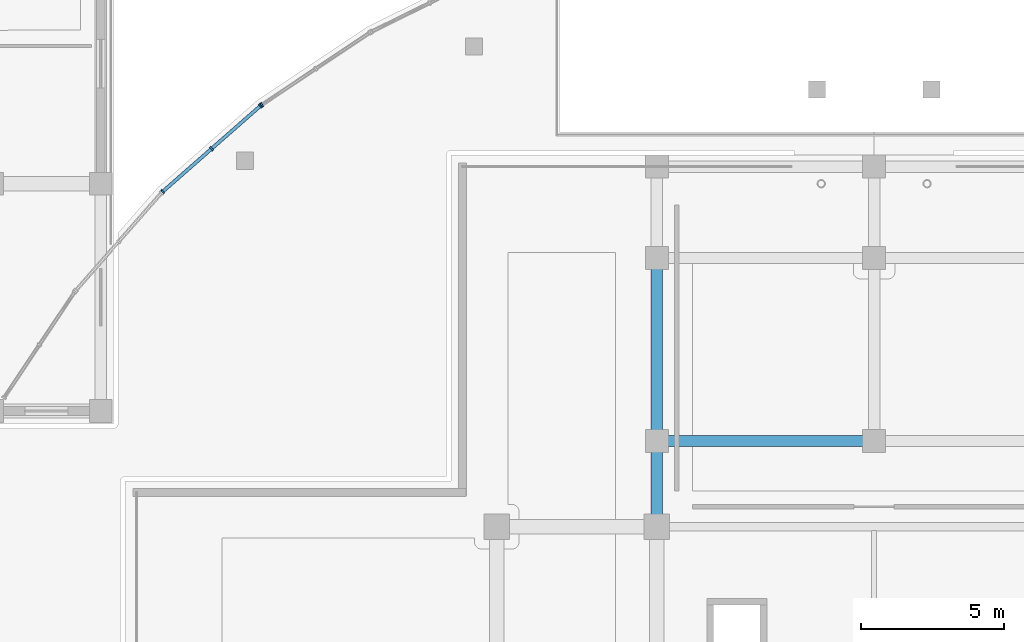
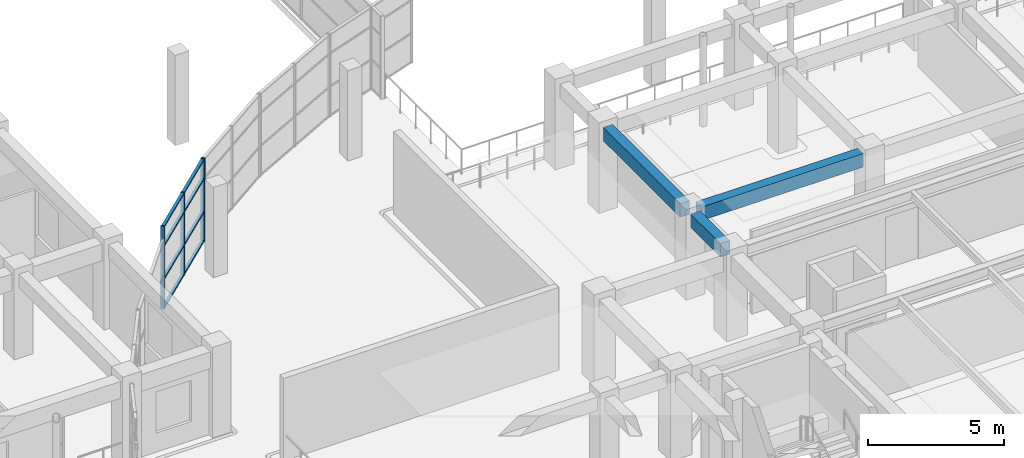
# One storey, part 30 of 87: 12 members, 3 beams, 2 elements without a shape of their own.
"""IFC4 building model written with IfcOpenShell, lengths in metres."""

from ifc_helpers import new_model, si_unit, direction, frame, origin, origin_2d, place, context, subcontext, project, spatial, rectangle, extrude, material, material_profile, profile_set, type_object, element, aggregate, save


model = new_model("IFC4")

# Units and contexts
model_context = context("Model", 3, precision=1e-05, world=origin(), true_north=direction((0.0, 1.0)))
body_context = subcontext(model_context, "Body", "Model", "MODEL_VIEW")
ifc_project = project(units=[si_unit("LENGTHUNIT", "METRE"), si_unit("AREAUNIT", "SQUARE_METRE"), si_unit("VOLUMEUNIT", "CUBIC_METRE"), si_unit("PLANEANGLEUNIT", "RADIAN"), si_unit("MASSUNIT", "GRAM", prefix="KILO")], contexts=[model_context])

# Site, building, storey
site_placement = place(None, origin())
site = spatial("IfcSite", under=ifc_project, at=site_placement, CompositionType="ELEMENT")
building_placement = place(site_placement, origin())
building = spatial("IfcBuilding", under=site, at=building_placement, Name="Saryqyr Civic Hall", CompositionType="ELEMENT")
storey_placement = place(building_placement, frame((0.0, 0.0, 5.10009765625)))
storey = spatial("IfcBuildingStorey", under=building, at=storey_placement, Name="L01", CompositionType="ELEMENT", Elevation=5.10009765625)

# Curtain wall, member
ifc_material_1 = material(Name="Anodised aluminium and triple low-E glass", Category="aluminium")
curtain_wall_type = type_object("IfcCurtainWallType", Name="ENV-CW-STD-74", PredefinedType="NOTDEFINED", material=ifc_material_1)
curtain_wall_1_placement = place(storey_placement, origin())
curtain_wall_1 = element("IfcCurtainWall", 1, at=curtain_wall_1_placement, inside=storey, type_object=curtain_wall_type, Name="Curtain wall V2-PERIM-CW-L01-16", PredefinedType="NOTDEFINED")
ifc_material_2 = material(Name="Anodised aluminium", Category="aluminium")
ifc_material_profile_1 = material_profile(ifc_material_2, rectangle(XDim=0.06005859375, YDim=0.159912109375, at=origin_2d()), Name="ALU MULLION 60x160")
ifc_profile_set_1 = profile_set([ifc_material_profile_1], Name="Anodised aluminium")
member_type_1 = type_object("IfcMemberType", Name="ENV-CW-MUL-180", PredefinedType="MULLION", material=ifc_profile_set_1)
member_1_placement = place(storey_placement, frame((35.584228515625, 111.95849609375, 0.0), z_axis=(0.0, 0.0, 1.0), x_axis=(0.831472128078, 0.555566467877, 0.0)))
member_1 = element("IfcMember", 2, at=member_1_placement, type_object=member_type_1, Name="CW-74 mullion 1", PredefinedType="MULLION", context=body_context, shape_type="SweptSolid", body=[
    extrude(rectangle(XDim=0.06005859375, YDim=0.159912109375, at=origin_2d()), origin(), (0.0, 0.0, 1.0), 3.699951171875),
])
aggregate(curtain_wall_1, [member_1])

# Curtain wall, members
curtain_wall_2_placement = place(storey_placement, origin())
curtain_wall_2 = element("IfcCurtainWall", 3, at=curtain_wall_2_placement, inside=storey, type_object=curtain_wall_type, Name="Curtain wall V2-PERIM-CW-L01-17", PredefinedType="NOTDEFINED")
member_2_placement = place(storey_placement, frame((32.1181640625, 108.924072265625, 0.0), z_axis=(0.0, 0.0, 1.0), x_axis=(0.751838018573, 0.659347854951, 0.0)))
member_2 = element("IfcMember", 4, at=member_2_placement, type_object=member_type_1, Name="CW-74 mullion 1", PredefinedType="MULLION", context=body_context, shape_type="SweptSolid", body=[
    extrude(rectangle(XDim=0.06005859375, YDim=0.159912109375, at=origin_2d()), origin(), (0.0, 0.0, 1.0), 3.699951171875),
])
member_3_placement = place(storey_placement, frame((33.82763671875, 110.423095703125, 0.0), z_axis=(0.0, 0.0, 1.0), x_axis=(0.751838018573, 0.659347854951, 0.0)))
member_3 = element("IfcMember", 5, at=member_3_placement, type_object=member_type_1, Name="CW-74 mullion 2", PredefinedType="MULLION", context=body_context, shape_type="SweptSolid", body=[
    extrude(rectangle(XDim=0.06005859375, YDim=0.159912109375, at=origin_2d()), origin(), (0.0, 0.0, 1.0), 3.699951171875),
])
member_4_placement = place(storey_placement, frame((35.536865234375, 111.922119140625, 0.0), z_axis=(0.0, 0.0, 1.0), x_axis=(0.751838018573, 0.659347854951, 0.0)))
member_4 = element("IfcMember", 6, at=member_4_placement, type_object=member_type_1, Name="CW-74 mullion 3", PredefinedType="MULLION", context=body_context, shape_type="SweptSolid", body=[
    extrude(rectangle(XDim=0.06005859375, YDim=0.159912109375, at=origin_2d()), origin(), (0.0, 0.0, 1.0), 3.699951171875),
])
ifc_material_profile_2 = material_profile(ifc_material_2, rectangle(XDim=0.1201171875, YDim=0.06005859375, at=origin_2d()), Name="ALU TRANSOM 120x60")
ifc_profile_set_2 = profile_set([ifc_material_profile_2], Name="Anodised aluminium")
member_type_2 = type_object("IfcMemberType", Name="ENV-CW-TRN-150", PredefinedType="USERDEFINED", material=ifc_profile_set_2)
member_5_placement = place(storey_placement, frame((32.140869140625, 108.94384765625, 0.02978515625), z_axis=(0.751810913025, 0.659378761453, 0.0), x_axis=(-0.659378761453, 0.751810913025, 0.0)))
member_5 = element("IfcMember", 7, at=member_5_placement, type_object=member_type_2, Name="CW-74 transom 1.1", ObjectType="TRANSOM", PredefinedType="USERDEFINED", context=body_context, shape_type="SweptSolid", body=[
    extrude(rectangle(XDim=0.1201171875, YDim=0.06005859375, at=origin_2d()), origin(), (0.0, 0.0, 1.0), 2.21337890625),
])
member_6_placement = place(storey_placement, frame((32.140869140625, 108.94384765625, 1.331787109375), z_axis=(0.751810913025, 0.659378761453, 0.0), x_axis=(-0.659378761453, 0.751810913025, 0.0)))
member_6 = element("IfcMember", 8, at=member_6_placement, type_object=member_type_2, Name="CW-74 transom 1.2", ObjectType="TRANSOM", PredefinedType="USERDEFINED", context=body_context, shape_type="SweptSolid", body=[
    extrude(rectangle(XDim=0.1201171875, YDim=0.06005859375, at=origin_2d()), origin(), (0.0, 0.0, 1.0), 2.21337890625),
])
member_7_placement = place(storey_placement, frame((32.140869140625, 108.94384765625, 2.81201171875), z_axis=(0.751810913025, 0.659378761453, 0.0), x_axis=(-0.659378761453, 0.751810913025, 0.0)))
member_7 = element("IfcMember", 9, at=member_7_placement, type_object=member_type_2, Name="CW-74 transom 1.3", ObjectType="TRANSOM", PredefinedType="USERDEFINED", context=body_context, shape_type="SweptSolid", body=[
    extrude(rectangle(XDim=0.1201171875, YDim=0.06005859375, at=origin_2d()), origin(), (0.0, 0.0, 1.0), 2.21337890625),
])
member_8_placement = place(storey_placement, frame((32.140869140625, 108.94384765625, 3.669921875), z_axis=(0.751810913025, 0.659378761453, 0.0), x_axis=(-0.659378761453, 0.751810913025, 0.0)))
member_8 = element("IfcMember", 10, at=member_8_placement, type_object=member_type_2, Name="CW-74 transom 1.4", ObjectType="TRANSOM", PredefinedType="USERDEFINED", context=body_context, shape_type="SweptSolid", body=[
    extrude(rectangle(XDim=0.1201171875, YDim=0.06005859375, at=origin_2d()), origin(), (0.0, 0.0, 1.0), 2.21337890625),
])
member_9_placement = place(storey_placement, frame((33.85009765625, 110.44287109375, 0.02978515625), z_axis=(0.751858863723, 0.659324084984, 0.0), x_axis=(-0.659324084984, 0.751858863723, 0.0)))
member_9 = element("IfcMember", 11, at=member_9_placement, type_object=member_type_2, Name="CW-74 transom 2.1", ObjectType="TRANSOM", PredefinedType="USERDEFINED", context=body_context, shape_type="SweptSolid", body=[
    extrude(rectangle(XDim=0.1201171875, YDim=0.06005859375, at=origin_2d()), origin(), (0.0, 0.0, 1.0), 2.213623046875),
])
member_10_placement = place(storey_placement, frame((33.85009765625, 110.44287109375, 1.331787109375), z_axis=(0.751858863723, 0.659324084984, 0.0), x_axis=(-0.659324084984, 0.751858863723, 0.0)))
member_10 = element("IfcMember", 12, at=member_10_placement, type_object=member_type_2, Name="CW-74 transom 2.2", ObjectType="TRANSOM", PredefinedType="USERDEFINED", context=body_context, shape_type="SweptSolid", body=[
    extrude(rectangle(XDim=0.1201171875, YDim=0.06005859375, at=origin_2d()), origin(), (0.0, 0.0, 1.0), 2.213623046875),
])
member_11_placement = place(storey_placement, frame((33.85009765625, 110.44287109375, 2.81201171875), z_axis=(0.751858863723, 0.659324084984, 0.0), x_axis=(-0.659324084984, 0.751858863723, 0.0)))
member_11 = element("IfcMember", 13, at=member_11_placement, type_object=member_type_2, Name="CW-74 transom 2.3", ObjectType="TRANSOM", PredefinedType="USERDEFINED", context=body_context, shape_type="SweptSolid", body=[
    extrude(rectangle(XDim=0.1201171875, YDim=0.06005859375, at=origin_2d()), origin(), (0.0, 0.0, 1.0), 2.213623046875),
])
member_12_placement = place(storey_placement, frame((33.85009765625, 110.44287109375, 3.669921875), z_axis=(0.751858863723, 0.659324084984, 0.0), x_axis=(-0.659324084984, 0.751858863723, 0.0)))
member_12 = element("IfcMember", 14, at=member_12_placement, type_object=member_type_2, Name="CW-74 transom 2.4", ObjectType="TRANSOM", PredefinedType="USERDEFINED", context=body_context, shape_type="SweptSolid", body=[
    extrude(rectangle(XDim=0.1201171875, YDim=0.06005859375, at=origin_2d()), origin(), (0.0, 0.0, 1.0), 2.213623046875),
])
aggregate(curtain_wall_2, [member_2, member_3, member_4, member_5, member_6, member_7, member_8, member_9, member_10, member_11, member_12])

# Beams
ifc_material_3 = material(Name="Concrete C35/45", Category="concrete")
ifc_material_profile_3 = material_profile(ifc_material_3, rectangle(XDim=0.39990234375, YDim=0.60009765625, at=origin_2d()), Name="RC 400x600")
ifc_profile_set_3 = profile_set([ifc_material_profile_3], Name="Concrete C35/45")
beam_type = type_object("IfcBeamType", Name="STR-BM-RC400x600", PredefinedType="BEAM", material=ifc_profile_set_3)
beam_1_placement = place(storey_placement, frame((49.39990234375, 100.574951171875, 3.469970703125), z_axis=(0.0, 1.0, 0.0), x_axis=(-1.0, 0.0, 0.0)))
element("IfcBeam", 15, at=beam_1_placement, inside=storey, type_object=beam_type, Name="Beam V1-TBM-30-L01", PredefinedType="BEAM", context=body_context, shape_type="SweptSolid", body=[
    extrude(rectangle(XDim=0.39990234375, YDim=0.60009765625, at=origin_2d()), origin(), (0.0, 0.0, 1.0), 5.650146484375),
])
beam_2_placement = place(storey_placement, frame((49.39990234375, 97.625, 3.469970703125), z_axis=(0.0, 1.0, 0.0), x_axis=(-1.0, 0.0, 0.0)))
element("IfcBeam", 16, at=beam_2_placement, inside=storey, type_object=beam_type, Name="Beam V1-TBM-49-L01", PredefinedType="BEAM", context=body_context, shape_type="SweptSolid", body=[
    extrude(rectangle(XDim=0.39990234375, YDim=0.60009765625, at=origin_2d()), origin(), (0.0, 0.0, 1.0), 2.199951171875),
])
beam_3_placement = place(storey_placement, frame((49.77490234375, 100.199951171875, 3.469970703125), z_axis=(1.0, 0.0, 0.0), x_axis=(0.0, 1.0, 0.0)))
element("IfcBeam", 17, at=beam_3_placement, inside=storey, type_object=beam_type, Name="Beam V1-TBM-57-L01", PredefinedType="BEAM", context=body_context, shape_type="SweptSolid", body=[
    extrude(rectangle(XDim=0.39990234375, YDim=0.60009765625, at=origin_2d()), origin(), (0.0, 0.0, 1.0), 6.85009765625),
])

save(model, "model.ifc")
